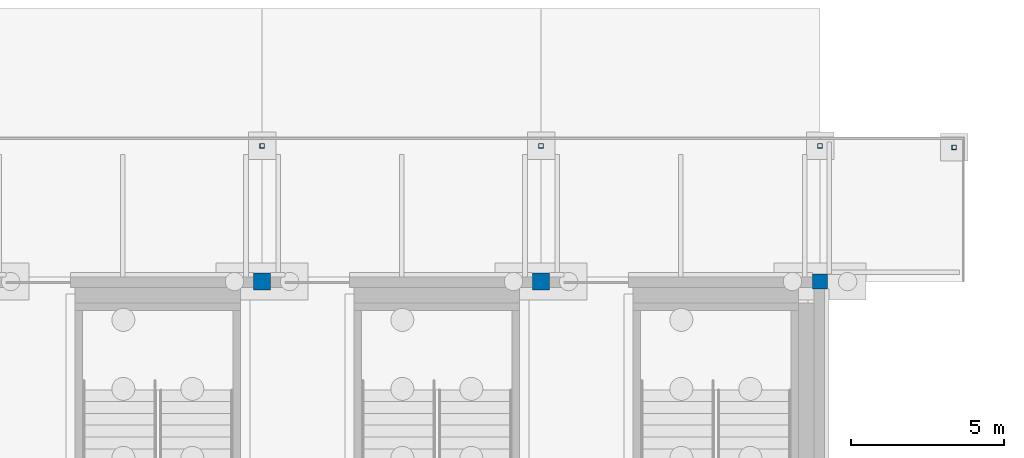
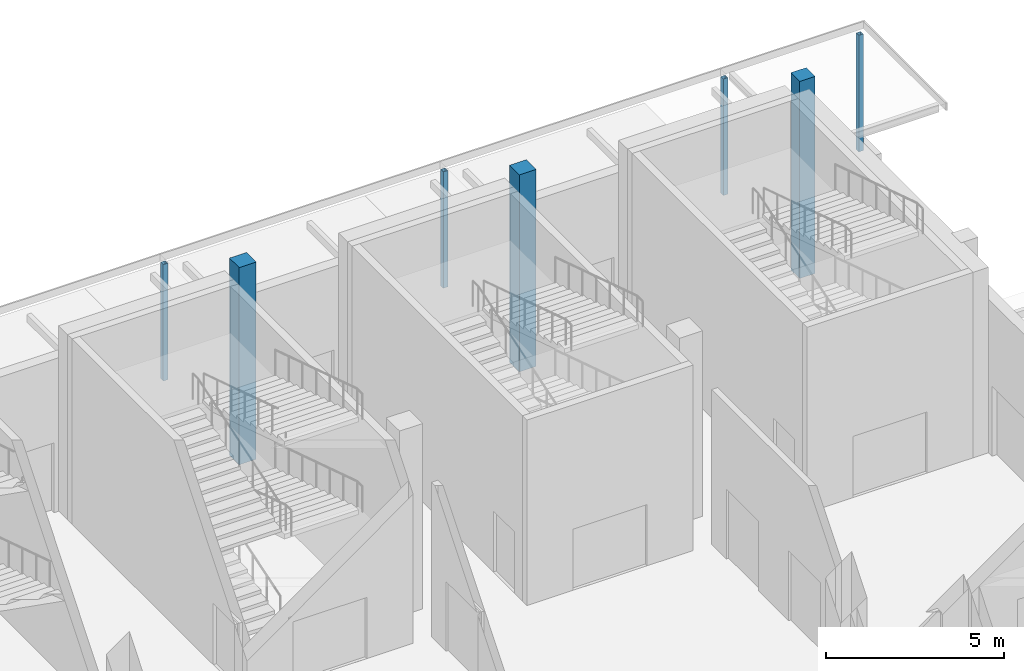
# One storey, part 47 of 129: 7 columns.
"""IFC4 building model written with IfcOpenShell, lengths in metres."""

from ifc_helpers import new_model, si_unit, direction, frame, origin, origin_2d, place, context, subcontext, project, spatial, rectangle, hollow_rectangle, extrude, material, material_profile, profile_set, type_object, element, save


model = new_model("IFC4")

# Units and contexts
model_context = context("Model", 3, precision=1e-05, world=origin(), true_north=direction((0.0, 1.0)))
body_context = subcontext(model_context, "Body", "Model", "MODEL_VIEW")
ifc_project = project(units=[si_unit("LENGTHUNIT", "METRE"), si_unit("AREAUNIT", "SQUARE_METRE"), si_unit("VOLUMEUNIT", "CUBIC_METRE"), si_unit("PLANEANGLEUNIT", "RADIAN"), si_unit("MASSUNIT", "GRAM", prefix="KILO")], contexts=[model_context])

# Site, building, storey
site_placement = place(None, origin())
site = spatial("IfcSite", under=ifc_project, at=site_placement, CompositionType="ELEMENT")
building_placement = place(site_placement, origin())
building = spatial("IfcBuilding", under=site, at=building_placement, Name="Shirokan Park Arena", CompositionType="ELEMENT")
storey_placement = place(building_placement, origin())
storey = spatial("IfcBuildingStorey", under=building, at=storey_placement, Name="L00", CompositionType="ELEMENT", Elevation=0.0)

# Columns
ifc_material_1 = material(Name="Concrete C35", Category="concrete")
ifc_material_profile_1 = material_profile(ifc_material_1, rectangle(XDim=0.5, YDim=0.5, at=origin_2d()), Name="500x500")
ifc_profile_set_1 = profile_set([ifc_material_profile_1], Name="Concrete C35")
column_type_1 = type_object("IfcColumnType", Name="RC column 500x500", PredefinedType="COLUMN", material=ifc_profile_set_1)
column_placement = place(storey_placement, frame((145.60009765625, 109.199951171875, -0.39990234375), z_axis=(0.0, 0.0, 1.0), x_axis=(1.0, 0.0, 0.0)))
element("IfcColumn", 1, at=column_placement, inside=storey, type_object=column_type_1, Name="Column 17N L00", PredefinedType="COLUMN", context=body_context, shape_type="SweptSolid", body=[
    extrude(rectangle(XDim=0.5, YDim=0.5, at=origin_2d()), origin(), (0.0, 0.0, 1.0), 6.77001953125),
])
ifc_material_profile_2 = material_profile(ifc_material_1, rectangle(XDim=0.550048828125, YDim=0.550048828125, at=origin_2d()), Name="550x550")
ifc_profile_set_2 = profile_set([ifc_material_profile_2], Name="Concrete C35")
column_type_2 = type_object("IfcColumnType", Name="RC column 550x550", PredefinedType="COLUMN", material=ifc_profile_set_2)
for number, where, z_axis, x_axis, name in (
    (2, (127.39990234375, 109.199951171875, -0.39990234375), (0.0, 0.0, 1.0), (1.0, 0.0, 0.0), "Column 15N L00"),
    (3, (136.5, 109.199951171875, -0.39990234375), (0.0, 0.0, 1.0), (1.0, 0.0, 0.0), "Column 16N L00"),
):
    element("IfcColumn", number, at=place(storey_placement, frame(where, z_axis=z_axis, x_axis=x_axis)), inside=storey, type_object=column_type_2, Name=name, PredefinedType="COLUMN", context=body_context, shape_type="SweptSolid", body=[
        extrude(rectangle(XDim=0.550048828125, YDim=0.550048828125, at=origin_2d()), origin(), (0.0, 0.0, 1.0), 6.77001953125),
    ])
ifc_material_2 = material(Name="Steel S355", Category="steel")
ifc_material_profile_3 = material_profile(ifc_material_2, hollow_rectangle(XDim=0.14990234375, YDim=0.14990234375, WallThickness=0.008056640625, at=origin_2d()), Name="RHS 150x150x8")
ifc_profile_set_3 = profile_set([ifc_material_profile_3], Name="Steel S355")
column_type_3 = type_object("IfcColumnType", Name="Steel post RHS 150x150x8", PredefinedType="COLUMN", material=ifc_profile_set_3)
for number, where, z_axis, x_axis, name in (
    (4, (145.60009765625, 113.625, -0.39990234375), (0.0, 0.0, 1.0), (1.0, 0.0, 0.0), "Canopy post north grid 1"),
    (5, (136.5, 113.625, -0.39990234375), (0.0, 0.0, 1.0), (1.0, 0.0, 0.0), "Canopy post north grid 2"),
    (6, (127.39990234375, 113.625, -0.39990234375), (0.0, 0.0, 1.0), (1.0, 0.0, 0.0), "Canopy post north grid 3"),
    (7, (149.97509765625, 113.574951171875, -0.39990234375), (0.0, 0.0, 1.0), (1.0, 0.0, 0.0), "Canopy post NE corner"),
):
    element("IfcColumn", number, at=place(storey_placement, frame(where, z_axis=z_axis, x_axis=x_axis)), inside=storey, type_object=column_type_3, Name=name, PredefinedType="COLUMN", context=body_context, shape_type="SweptSolid", body=[
        extrude(hollow_rectangle(XDim=0.14990234375, YDim=0.14990234375, WallThickness=0.008056640625, at=origin_2d()), origin(), (0.0, 0.0, 1.0), 4.0),
    ])

save(model, "model.ifc")
